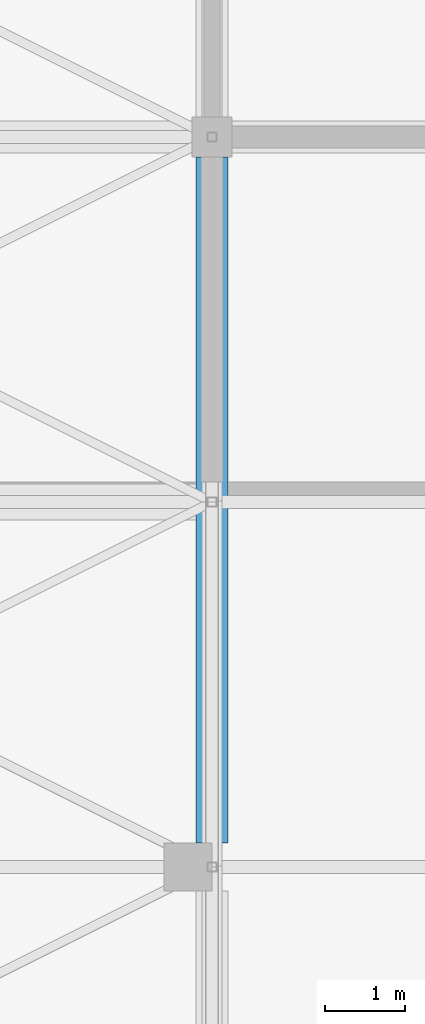
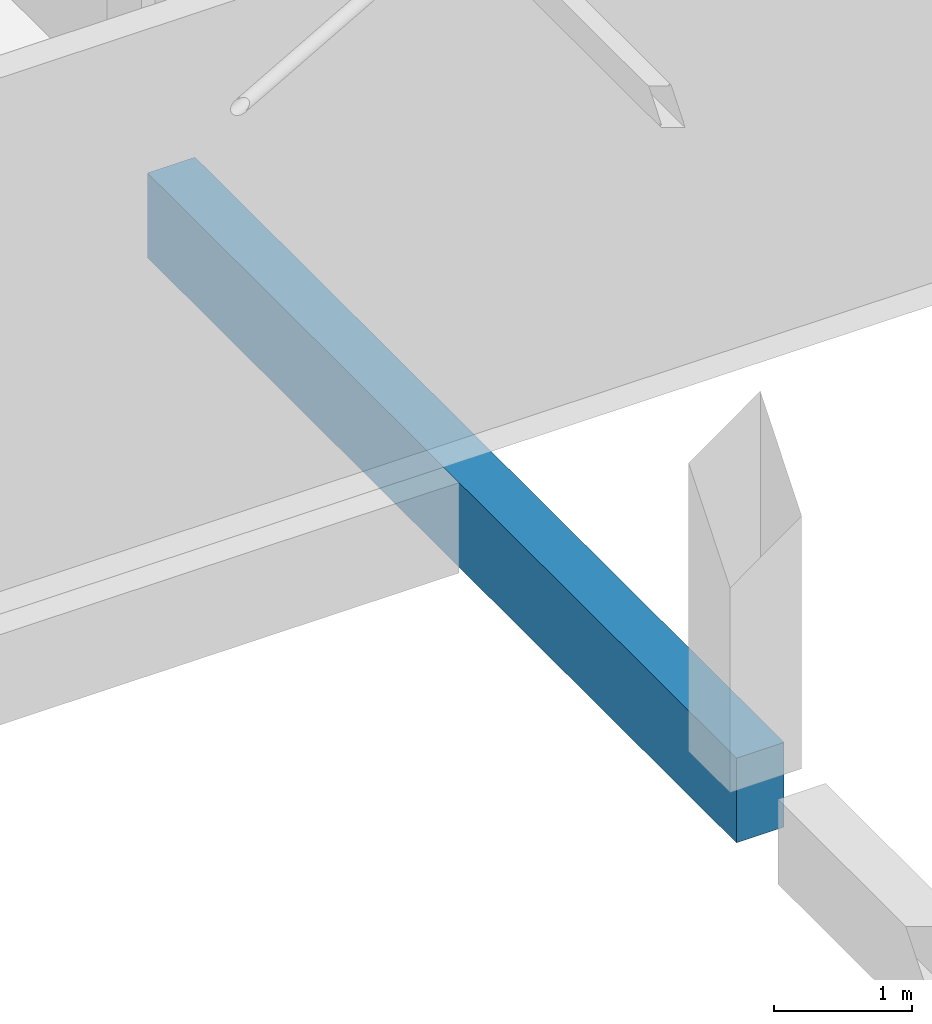
# One storey, part 175 of 500: 1 beam.
"""IFC4 building model written with IfcOpenShell, lengths in metres."""

from ifc_helpers import new_model, si_unit, direction, frame, origin, origin_2d, place, context, subcontext, project, spatial, rectangle, extrude, material, material_profile, profile_set, type_object, element, save


model = new_model("IFC4")

# Units and contexts
model_context = context("Model", 3, precision=1e-05, world=origin(), true_north=direction((0.0, 1.0)))
body_context = subcontext(model_context, "Body", "Model", "MODEL_VIEW")
ifc_project = project(units=[si_unit("LENGTHUNIT", "METRE"), si_unit("AREAUNIT", "SQUARE_METRE"), si_unit("VOLUMEUNIT", "CUBIC_METRE"), si_unit("PLANEANGLEUNIT", "RADIAN"), si_unit("MASSUNIT", "GRAM", prefix="KILO")], contexts=[model_context])

# Site, building, storey
site_placement = place(None, origin())
site = spatial("IfcSite", under=ifc_project, at=site_placement, CompositionType="ELEMENT")
building_placement = place(site_placement, origin())
building = spatial("IfcBuilding", under=site, at=building_placement, Name="Shirokan Park Arena", CompositionType="ELEMENT")
storey_placement = place(building_placement, frame((0.0, 0.0, 29.1201171875)))
storey = spatial("IfcBuildingStorey", under=building, at=storey_placement, Name="L06", CompositionType="ELEMENT", Elevation=29.1201171875)

# Beam
ifc_material = material(Name="Concrete C35", Category="concrete")
ifc_material_profile = material_profile(ifc_material, rectangle(XDim=0.39990234375, YDim=0.75, at=origin_2d()), Name="400x750")
ifc_profile_set = profile_set([ifc_material_profile], Name="Concrete C35")
beam_type = type_object("IfcBeamType", Name="RC girder 400x750", PredefinedType="BEAM", material=ifc_profile_set)
beam_placement = place(storey_placement, frame((9.10009765625, 64.0, -0.5751953125), z_axis=(0.0, 1.0, 0.0), x_axis=(-1.0, 0.0, 0.0)))
element("IfcBeam", 1, at=beam_placement, inside=storey, type_object=beam_type, Name="Girder 2H-2J L06", PredefinedType="BEAM", context=body_context, shape_type="SweptSolid", body=[
    extrude(rectangle(XDim=0.39990234375, YDim=0.75, at=origin_2d()), origin(), (0.0, 0.0, 1.0), 8.5498046875),
])

save(model, "model.ifc")
